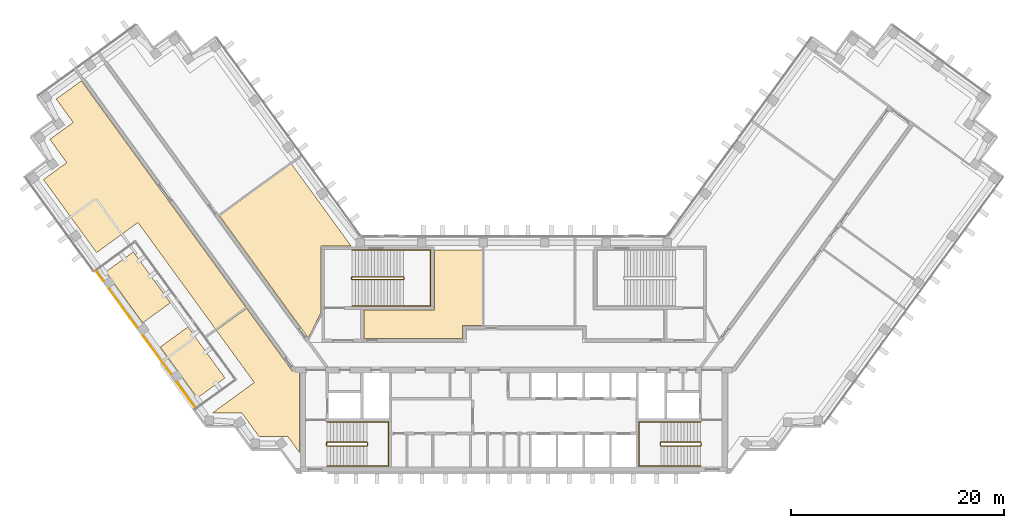
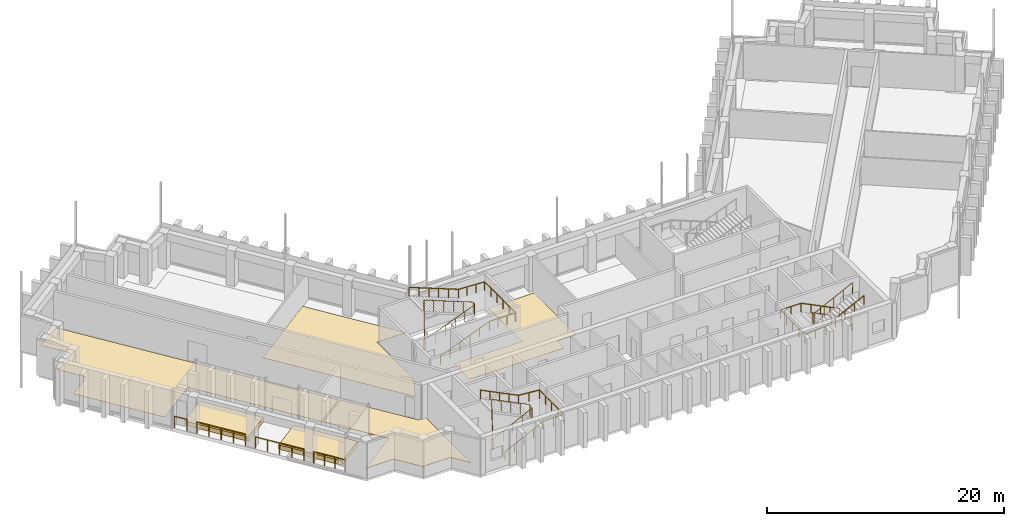
# One storey, part 14 of 15: 10 railings, 6 coverings.
"""IFC4 building model written with IfcOpenShell, lengths in metres."""

from ifc_helpers import new_model, si_unit, direction, frame, origin, origin_2d, place, context, subcontext, project, spatial, polyline, circle, outline, extrude, material, layer, layer_set, type_object, element, save


model = new_model("IFC4")

# Units and contexts
model_context = context("Model", 3, precision=1e-05, world=origin(), true_north=direction((0.0, 1.0)))
body_context = subcontext(model_context, "Body", "Model", "MODEL_VIEW")
ifc_project = project(units=[si_unit("LENGTHUNIT", "METRE"), si_unit("AREAUNIT", "SQUARE_METRE"), si_unit("VOLUMEUNIT", "CUBIC_METRE"), si_unit("PLANEANGLEUNIT", "RADIAN"), si_unit("MASSUNIT", "GRAM", prefix="KILO")], contexts=[model_context])

# Site, building, storey
site_placement = place(None, origin())
site = spatial("IfcSite", under=ifc_project, at=site_placement, CompositionType="ELEMENT")
building_placement = place(site_placement, origin())
building = spatial("IfcBuilding", under=site, at=building_placement, Name="Quipu Civic Tower", CompositionType="ELEMENT")
storey_placement = place(building_placement, frame((0.0, 0.0, 160.0)))
storey = spatial("IfcBuildingStorey", under=building, at=storey_placement, Name="L37", CompositionType="ELEMENT", Elevation=160.0)

# Coverings
ifc_material_1 = material(Name="Carpet tile on raised access floor")
ifc_layer_1 = layer(ifc_material_1, 0.02001953125)
ifc_layer_set_1 = layer_set([ifc_layer_1], Name="Carpet tile on raised access floor")
covering_type_1 = type_object("IfcCoveringType", Name="Carpet tile floor finish 20", PredefinedType="FLOORING", material=ifc_layer_set_1)
covering_1_placement = place(storey_placement, origin())
element("IfcCovering", 1, at=covering_1_placement, inside=storey, type_object=covering_type_1, Name="Carpet tile floor finish 20", PredefinedType="FLOORING", context=body_context, shape_type="SweptSolid", body=[
    extrude(outline(polyline([(-14.030029296875, 1.52001953125), (-14.030029296875, 4.179931640625), (-7.429931640625, 4.180908203125), (-7.429931640625, 9.830078125), (-2.948974609375, 9.830078125), (-2.948974609375, 2.719970703125), (-4.819091796875, 2.719970703125), (-4.820068359375, 1.52001953125), (-14.030029296875, 1.52001953125)])), origin(), (0.0, 0.0, 1.0), 0.02001953125),
])
covering_2_placement = place(storey_placement, origin())
element("IfcCovering", 2, at=covering_2_placement, inside=storey, type_object=covering_type_1, Name="Carpet tile floor finish 20", PredefinedType="FLOORING", context=body_context, shape_type="SweptSolid", body=[
    extrude(outline(polyline([(-27.577880859375, 13.01708984375), (-20.85498046875, 17.90087890625), (-15.238037109375, 10.169921875), (-18.070068359375, 10.1689453125), (-18.070068359375, 3.94189453125), (-19.27197265625, 1.583984375), (-27.577880859375, 13.01708984375)])), origin(), (0.0, 0.0, 1.0), 0.02001953125),
])
covering_3_placement = place(storey_placement, origin())
element("IfcCovering", 3, at=covering_3_placement, inside=storey, type_object=covering_type_1, Name="Carpet tile floor finish 20", PredefinedType="FLOORING", context=body_context, shape_type="SweptSolid", body=[
    extrude(outline(polyline([(-44.074951171875, 16.4140625), (-41.89208984375, 17.9990234375), (-43.47802734375, 20.18505859375), (-41.294921875, 21.77197265625), (-42.881103515625, 23.9560546875), (-40.52587890625, 25.666015625), (-25.117919921875, 4.4580078125), (-27.9580078125, 2.39599609375), (-35.218994140625, 12.388916015625), (-39.10205078125, 9.569091796875), (-44.074951171875, 16.4140625)])), origin(), (0.0, 0.0, 1.0), 0.02001953125),
])
ifc_material_2 = material(Name="Planting soil on drainage board")
ifc_layer_2 = layer(ifc_material_2, 0.449951171875)
ifc_layer_set_2 = layer_set([ifc_layer_2], Name="Planting soil on drainage board")
covering_type_2 = type_object("IfcCoveringType", Name="Planted terrace build-up", PredefinedType="FLOORING", material=ifc_layer_set_2)
covering_4_placement = place(storey_placement, origin())
element("IfcCovering", 4, at=covering_4_placement, inside=storey, type_object=covering_type_2, Name="Planted terrace L37 bed 1", PredefinedType="FLOORING", context=body_context, shape_type="SweptSolid", body=[
    extrude(outline(polyline([(-38.244384765625, 7.7578125), (-35.655517578125, 9.638916015625), (-32.187255859375, 4.865234375), (-34.776123046875, 2.984375), (-38.244384765625, 7.7578125)])), origin(), (0.0, 0.0, 1.0), 0.449951171875),
])
covering_5_placement = place(storey_placement, origin())
element("IfcCovering", 5, at=covering_5_placement, inside=storey, type_object=covering_type_2, Name="Planted terrace L37 bed 2", PredefinedType="FLOORING", context=body_context, shape_type="SweptSolid", body=[
    extrude(outline(polyline([(-33.13037109375, 0.718994140625), (-30.54150390625, 2.60009765625), (-27.07373046875, -2.1728515625), (-29.66259765625, -4.0537109375), (-33.13037109375, 0.718994140625)])), origin(), (0.0, 0.0, 1.0), 0.449951171875),
])
ifc_material_3 = material(Name="Sealed cement screed")
ifc_layer_3 = layer(ifc_material_3, 0.050048828125)
ifc_layer_set_3 = layer_set([ifc_layer_3], Name="Sealed cement screed")
covering_type_3 = type_object("IfcCoveringType", Name="Sealed screed floor finish 50", PredefinedType="FLOORING", material=ifc_layer_set_3)
covering_6_placement = place(storey_placement, origin())
element("IfcCovering", 6, at=covering_6_placement, inside=storey, type_object=covering_type_3, Name="Sealed screed floor finish 50", PredefinedType="FLOORING", context=body_context, shape_type="SweptSolid", body=[
    extrude(outline(polyline([(-28.205078125, -5.429931640625), (-24.322998046875, -2.60791015625), (-27.875, 2.281982421875), (-25.034912109375, 4.344970703125), (-20.77490234375, -1.51904296875), (-20.070068359375, -1.52001953125), (-20.070068359375, -9.195068359375), (-21.196044921875, -7.64599609375), (-23.89501953125, -7.64599609375), (-25.48193359375, -5.4619140625), (-28.18310546875, -5.4609375), (-28.205078125, -5.429931640625)])), origin(), (0.0, 0.0, 1.0), 0.050048828125),
])

# Railings
ifc_material_4 = material(Name="Stainless steel", Category="steel")
railing_type_1 = type_object("IfcRailingType", Name="Stair guard 1100", PredefinedType="GUARDRAIL", material=ifc_material_4)
railing_1_placement = place(storey_placement, frame((-17.5, -8.550048828125, 0.15380859375)))
element("IfcRailing", 7, at=railing_1_placement, inside=storey, type_object=railing_type_1, Name="Stair 1 guard", PredefinedType="GUARDRAIL", context=body_context, shape_type="SweptSolid", body=[
    extrude(circle(Radius=0.02392578125, at=origin_2d()), frame((0.0, 0.0, 1.076171875), z_axis=(0.895751851347, 0.0, 0.444554407028), x_axis=(0.0, 1.0, 0.0)), (0.0, 0.0, 1.0), 4.15283203125),
    extrude(circle(Radius=0.02392578125, at=origin_2d()), frame((3.719970703125, 0.0, 2.92236328125), z_axis=(0.707106781187, 0.707106781187, 0.0), x_axis=(-0.707106781187, 0.707106781187, 0.0)), (0.0, 0.0, 1.0), 0.07080078125),
    extrude(circle(Radius=0.02392578125, at=origin_2d()), frame((3.77001953125, 0.050048828125, 2.92236328125), z_axis=(0.0, 1.0, 0.0), x_axis=(-1.0, 0.0, 0.0)), (0.0, 0.0, 1.0), 0.25),
    extrude(circle(Radius=0.02392578125, at=origin_2d()), frame((3.77001953125, 0.300048828125, 2.92236328125), z_axis=(-0.295599637079, 0.295599637079, 0.908428152975), x_axis=(-0.707106781187, -0.707106781187, 0.0)), (0.0, 0.0, 1.0), 0.16943359375),
    extrude(circle(Radius=0.02392578125, at=origin_2d()), frame((3.719970703125, 0.35009765625, 3.076171875), z_axis=(-0.895751851347, 0.0, 0.444554407028), x_axis=(0.0, -1.0, 0.0)), (0.0, 0.0, 1.0), 4.15283203125),
    extrude(circle(Radius=0.02392578125, at=origin_2d()), frame((0.0, 0.35009765625, 4.92236328125), z_axis=(-0.012476181752, -0.074796231092, -0.997120789425), x_axis=(0.986372223864, -0.164529134168, 0.0)), (0.0, 0.0, 1.0), 4.011474609375),
    extrude(circle(Radius=0.02392578125, at=origin_2d()), frame((-0.050048828125, 0.050048828125, 0.92236328125), z_axis=(0.0, 1.0, 0.0), x_axis=(-1.0, 0.0, 0.0)), (0.0, 0.0, 1.0), 0.25),
    extrude(circle(Radius=0.02099609375, at=origin_2d()), origin(), (0.0, 0.0, 1.0), 1.052001953125),
    extrude(circle(Radius=0.02099609375, at=origin_2d()), frame((0.929931640625, 0.0, 0.46142578125)), (0.0, 0.0, 1.0), 1.052001953125),
    extrude(circle(Radius=0.02099609375, at=origin_2d()), frame((1.85986328125, 0.0, 0.923095703125)), (0.0, 0.0, 1.0), 1.052001953125),
    extrude(circle(Radius=0.02099609375, at=origin_2d()), frame((2.7900390625, 0.0, 1.384765625)), (0.0, 0.0, 1.0), 1.052001953125),
    extrude(circle(Radius=0.02099609375, at=origin_2d()), frame((3.719970703125, 0.0, 1.84619140625)), (0.0, 0.0, 1.0), 1.052001953125),
    extrude(circle(Radius=0.02099609375, at=origin_2d()), frame((3.77001953125, 0.050048828125, 1.84619140625)), (0.0, 0.0, 1.0), 1.052001953125),
    extrude(circle(Radius=0.02099609375, at=origin_2d()), frame((3.77001953125, 0.300048828125, 1.84619140625)), (0.0, 0.0, 1.0), 1.052001953125),
    extrude(circle(Radius=0.02099609375, at=origin_2d()), frame((3.719970703125, 0.35009765625, 2.0)), (0.0, 0.0, 1.0), 1.052001953125),
    extrude(circle(Radius=0.02099609375, at=origin_2d()), frame((2.7900390625, 0.35009765625, 2.46142578125)), (0.0, 0.0, 1.0), 1.052001953125),
    extrude(circle(Radius=0.02099609375, at=origin_2d()), frame((1.85986328125, 0.35009765625, 2.923095703125)), (0.0, 0.0, 1.0), 1.052001953125),
    extrude(circle(Radius=0.02099609375, at=origin_2d()), frame((0.929931640625, 0.35009765625, 3.384765625)), (0.0, 0.0, 1.0), 1.052001953125),
    extrude(circle(Radius=0.02099609375, at=origin_2d()), frame((0.0, 0.35009765625, 3.84619140625)), (0.0, 0.0, 1.0), 1.052001953125),
    extrude(circle(Radius=0.02099609375, at=origin_2d()), frame((-0.012451171875, 0.275146484375, 2.84619140625)), (0.0, 0.0, 1.0), 1.052001953125),
    extrude(circle(Radius=0.02099609375, at=origin_2d()), frame((-0.02490234375, 0.2001953125, 1.84619140625)), (0.0, 0.0, 1.0), 1.052001953125),
    extrude(circle(Radius=0.02099609375, at=origin_2d()), frame((-0.03759765625, 0.125, 0.84619140625)), (0.0, 0.0, 1.0), 1.052001953125),
    extrude(circle(Radius=0.02099609375, at=origin_2d()), frame((-0.050048828125, 0.050048828125, -0.15380859375)), (0.0, 0.0, 1.0), 1.052001953125),
    extrude(circle(Radius=0.02099609375, at=origin_2d()), frame((-0.050048828125, 0.300048828125, -0.15380859375)), (0.0, 0.0, 1.0), 1.052001953125),
])
railing_2_placement = place(storey_placement, frame((17.5, -8.199951171875, 0.15380859375)))
element("IfcRailing", 8, at=railing_2_placement, inside=storey, type_object=railing_type_1, Name="Stair 2 guard", PredefinedType="GUARDRAIL", context=body_context, shape_type="SweptSolid", body=[
    extrude(circle(Radius=0.02392578125, at=origin_2d()), frame((0.0, 0.0, 1.076171875), z_axis=(-0.895751851347, 0.0, 0.444554407028), x_axis=(0.0, -1.0, 0.0)), (0.0, 0.0, 1.0), 4.15283203125),
    extrude(circle(Radius=0.02392578125, at=origin_2d()), frame((-3.719970703125, 0.0, 2.92236328125), z_axis=(-0.707106781187, -0.707106781187, 0.0), x_axis=(0.707106781187, -0.707106781187, 0.0)), (0.0, 0.0, 1.0), 0.07080078125),
    extrude(circle(Radius=0.02392578125, at=origin_2d()), frame((-3.77001953125, -0.050048828125, 2.92236328125), z_axis=(0.0, -1.0, 0.0), x_axis=(1.0, 0.0, 0.0)), (0.0, 0.0, 1.0), 0.25),
    extrude(circle(Radius=0.02392578125, at=origin_2d()), frame((-3.77001953125, -0.300048828125, 2.92236328125), z_axis=(0.295599637079, -0.295599637079, 0.908428152975), x_axis=(0.707106781187, 0.707106781187, 0.0)), (0.0, 0.0, 1.0), 0.16943359375),
    extrude(circle(Radius=0.02392578125, at=origin_2d()), frame((-3.719970703125, -0.35009765625, 3.076171875), z_axis=(0.895751851347, 0.0, 0.444554407028), x_axis=(0.0, 1.0, 0.0)), (0.0, 0.0, 1.0), 4.15283203125),
    extrude(circle(Radius=0.02392578125, at=origin_2d()), frame((0.0, -0.35009765625, 4.92236328125), z_axis=(0.012476181752, 0.074796231092, -0.997120789425), x_axis=(-0.986372223864, 0.164529134168, 0.0)), (0.0, 0.0, 1.0), 4.011474609375),
    extrude(circle(Radius=0.02392578125, at=origin_2d()), frame((0.050048828125, -0.050048828125, 0.92236328125), z_axis=(0.0, -1.0, 0.0), x_axis=(1.0, 0.0, 0.0)), (0.0, 0.0, 1.0), 0.25),
    extrude(circle(Radius=0.02099609375, at=origin_2d()), origin(), (0.0, 0.0, 1.0), 1.052001953125),
    extrude(circle(Radius=0.02099609375, at=origin_2d()), frame((-0.929931640625, 0.0, 0.46142578125)), (0.0, 0.0, 1.0), 1.052001953125),
    extrude(circle(Radius=0.02099609375, at=origin_2d()), frame((-1.85986328125, 0.0, 0.923095703125)), (0.0, 0.0, 1.0), 1.052001953125),
    extrude(circle(Radius=0.02099609375, at=origin_2d()), frame((-2.7900390625, 0.0, 1.384765625)), (0.0, 0.0, 1.0), 1.052001953125),
    extrude(circle(Radius=0.02099609375, at=origin_2d()), frame((-3.719970703125, 0.0, 1.84619140625)), (0.0, 0.0, 1.0), 1.052001953125),
    extrude(circle(Radius=0.02099609375, at=origin_2d()), frame((-3.77001953125, -0.050048828125, 1.84619140625)), (0.0, 0.0, 1.0), 1.052001953125),
    extrude(circle(Radius=0.02099609375, at=origin_2d()), frame((-3.77001953125, -0.300048828125, 1.84619140625)), (0.0, 0.0, 1.0), 1.052001953125),
    extrude(circle(Radius=0.02099609375, at=origin_2d()), frame((-3.719970703125, -0.35009765625, 2.0)), (0.0, 0.0, 1.0), 1.052001953125),
    extrude(circle(Radius=0.02099609375, at=origin_2d()), frame((-2.7900390625, -0.35009765625, 2.46142578125)), (0.0, 0.0, 1.0), 1.052001953125),
    extrude(circle(Radius=0.02099609375, at=origin_2d()), frame((-1.85986328125, -0.35009765625, 2.923095703125)), (0.0, 0.0, 1.0), 1.052001953125),
    extrude(circle(Radius=0.02099609375, at=origin_2d()), frame((-0.929931640625, -0.35009765625, 3.384765625)), (0.0, 0.0, 1.0), 1.052001953125),
    extrude(circle(Radius=0.02099609375, at=origin_2d()), frame((0.0, -0.35009765625, 3.84619140625)), (0.0, 0.0, 1.0), 1.052001953125),
    extrude(circle(Radius=0.02099609375, at=origin_2d()), frame((0.012451171875, -0.275146484375, 2.84619140625)), (0.0, 0.0, 1.0), 1.052001953125),
    extrude(circle(Radius=0.02099609375, at=origin_2d()), frame((0.02490234375, -0.2001953125, 1.84619140625)), (0.0, 0.0, 1.0), 1.052001953125),
    extrude(circle(Radius=0.02099609375, at=origin_2d()), frame((0.03759765625, -0.125, 0.84619140625)), (0.0, 0.0, 1.0), 1.052001953125),
    extrude(circle(Radius=0.02099609375, at=origin_2d()), frame((0.050048828125, -0.050048828125, -0.15380859375)), (0.0, 0.0, 1.0), 1.052001953125),
    extrude(circle(Radius=0.02099609375, at=origin_2d()), frame((0.050048828125, -0.300048828125, -0.15380859375)), (0.0, 0.0, 1.0), 1.052001953125),
])
railing_3_placement = place(storey_placement, frame((-15.14990234375, 7.050048828125, 0.11767578125)))
element("IfcRailing", 9, at=railing_3_placement, inside=storey, type_object=railing_type_1, Name="Stair 3 guard", PredefinedType="GUARDRAIL", context=body_context, shape_type="SweptSolid", body=[
    extrude(circle(Radius=0.02392578125, at=origin_2d()), frame((0.0, 0.0, 1.076171875), z_axis=(0.930970042603, 0.0, 0.365095576219), x_axis=(0.0, 1.0, 0.0)), (0.0, 0.0, 1.0), 5.15576171875),
    extrude(circle(Radius=0.02392578125, at=origin_2d()), frame((4.7998046875, 0.0, 2.95849609375), z_axis=(0.707106781187, 0.707106781187, 0.0), x_axis=(-0.707106781187, 0.707106781187, 0.0)), (0.0, 0.0, 1.0), 0.07080078125),
    extrude(circle(Radius=0.02392578125, at=origin_2d()), frame((4.849853515625, 0.050048828125, 2.95849609375), z_axis=(0.0, 1.0, 0.0), x_axis=(-1.0, 0.0, 0.0)), (0.0, 0.0, 1.0), 0.14990234375),
    extrude(circle(Radius=0.02392578125, at=origin_2d()), frame((4.849853515625, 0.199951171875, 2.95849609375), z_axis=(-0.364463019033, 0.364463019033, 0.856932561824), x_axis=(-0.707106781187, -0.707106781187, 0.0)), (0.0, 0.0, 1.0), 0.13720703125),
    extrude(circle(Radius=0.02392578125, at=origin_2d()), frame((4.7998046875, 0.25, 3.076171875), z_axis=(-0.930970042603, 0.0, 0.365095576219), x_axis=(0.0, -1.0, 0.0)), (0.0, 0.0, 1.0), 5.15576171875),
    extrude(circle(Radius=0.02392578125, at=origin_2d()), frame((0.0, 0.25, 4.95849609375), z_axis=(-0.012495627992, -0.049921557685, -0.998674970829), x_axis=(0.970072785993, -0.242814311512, 0.0)), (0.0, 0.0, 1.0), 4.00537109375),
    extrude(circle(Radius=0.02392578125, at=origin_2d()), frame((-0.050048828125, 0.050048828125, 0.95849609375), z_axis=(0.0, 1.0, 0.0), x_axis=(-1.0, 0.0, 0.0)), (0.0, 0.0, 1.0), 0.14990234375),
    extrude(circle(Radius=0.02099609375, at=origin_2d()), origin(), (0.0, 0.0, 1.0), 1.052001953125),
    extrude(circle(Radius=0.02099609375, at=origin_2d()), frame((0.9599609375, 0.0, 0.37646484375)), (0.0, 0.0, 1.0), 1.052001953125),
    extrude(circle(Radius=0.02099609375, at=origin_2d()), frame((1.919921875, 0.0, 0.7529296875)), (0.0, 0.0, 1.0), 1.052001953125),
    extrude(circle(Radius=0.02099609375, at=origin_2d()), frame((2.8798828125, 0.0, 1.12939453125)), (0.0, 0.0, 1.0), 1.052001953125),
    extrude(circle(Radius=0.02099609375, at=origin_2d()), frame((3.83984375, 0.0, 1.505859375)), (0.0, 0.0, 1.0), 1.052001953125),
    extrude(circle(Radius=0.02099609375, at=origin_2d()), frame((4.7998046875, 0.0, 1.88232421875)), (0.0, 0.0, 1.0), 1.052001953125),
    extrude(circle(Radius=0.02099609375, at=origin_2d()), frame((4.849853515625, 0.050048828125, 1.88232421875)), (0.0, 0.0, 1.0), 1.052001953125),
    extrude(circle(Radius=0.02099609375, at=origin_2d()), frame((4.849853515625, 0.199951171875, 1.88232421875)), (0.0, 0.0, 1.0), 1.052001953125),
    extrude(circle(Radius=0.02099609375, at=origin_2d()), frame((4.7998046875, 0.25, 2.0)), (0.0, 0.0, 1.0), 1.052001953125),
    extrude(circle(Radius=0.02099609375, at=origin_2d()), frame((3.83984375, 0.25, 2.37646484375)), (0.0, 0.0, 1.0), 1.052001953125),
    extrude(circle(Radius=0.02099609375, at=origin_2d()), frame((2.8798828125, 0.25, 2.7529296875)), (0.0, 0.0, 1.0), 1.052001953125),
    extrude(circle(Radius=0.02099609375, at=origin_2d()), frame((1.919921875, 0.25, 3.12939453125)), (0.0, 0.0, 1.0), 1.052001953125),
    extrude(circle(Radius=0.02099609375, at=origin_2d()), frame((0.9599609375, 0.25, 3.505859375)), (0.0, 0.0, 1.0), 1.052001953125),
    extrude(circle(Radius=0.02099609375, at=origin_2d()), frame((0.0, 0.25, 3.88232421875)), (0.0, 0.0, 1.0), 1.052001953125),
    extrude(circle(Radius=0.02099609375, at=origin_2d()), frame((-0.012451171875, 0.199951171875, 2.88232421875)), (0.0, 0.0, 1.0), 1.052001953125),
    extrude(circle(Radius=0.02099609375, at=origin_2d()), frame((-0.02490234375, 0.14990234375, 1.88232421875)), (0.0, 0.0, 1.0), 1.052001953125),
    extrude(circle(Radius=0.02099609375, at=origin_2d()), frame((-0.03759765625, 0.10009765625, 0.88232421875)), (0.0, 0.0, 1.0), 1.052001953125),
    extrude(circle(Radius=0.02099609375, at=origin_2d()), frame((-0.050048828125, 0.050048828125, -0.11767578125)), (0.0, 0.0, 1.0), 1.052001953125),
    extrude(circle(Radius=0.02099609375, at=origin_2d()), frame((-0.050048828125, 0.199951171875, -0.11767578125)), (0.0, 0.0, 1.0), 1.052001953125),
])
ifc_material_5 = material(Name="Stainless steel", Category="steel")
railing_type_2 = type_object("IfcRailingType", Name="Stair handrail", PredefinedType="HANDRAIL", material=ifc_material_5)
railing_4_placement = place(storey_placement, frame((-17.5, -10.449951171875, 0.15380859375)))
element("IfcRailing", 10, at=railing_4_placement, inside=storey, type_object=railing_type_2, Name="Stair 1 handrail", PredefinedType="HANDRAIL", context=body_context, shape_type="SweptSolid", body=[
    extrude(circle(Radius=0.02392578125, at=origin_2d()), frame((0.0, 0.0, 0.8759765625), z_axis=(0.895751851347, 0.0, 0.444554407028), x_axis=(0.0, 1.0, 0.0)), (0.0, 0.0, 1.0), 4.15283203125),
    extrude(circle(Radius=0.02392578125, at=origin_2d()), frame((3.719970703125, 0.0, 2.72216796875), z_axis=(1.0, 0.0, 0.0), x_axis=(0.0, 1.0, 0.0)), (0.0, 0.0, 1.0), 2.030029296875),
    extrude(circle(Radius=0.02392578125, at=origin_2d()), frame((5.75, 0.0, 2.72216796875), z_axis=(0.0, 1.0, 0.0), x_axis=(-1.0, 0.0, 0.0)), (0.0, 0.0, 1.0), 4.14990234375),
    extrude(circle(Radius=0.02392578125, at=origin_2d()), frame((5.75, 4.14990234375, 2.72216796875), z_axis=(-0.997142003663, 0.0, 0.075550145798), x_axis=(0.0, -1.0, 0.0)), (0.0, 0.0, 1.0), 2.035888671875),
    extrude(circle(Radius=0.02392578125, at=origin_2d()), frame((3.719970703125, 4.14990234375, 2.8759765625), z_axis=(-0.895751851347, 0.0, 0.444554407028), x_axis=(0.0, -1.0, 0.0)), (0.0, 0.0, 1.0), 4.15283203125),
    extrude(circle(Radius=0.02099609375, at=origin_2d()), origin(), (0.0, 0.0, 1.0), 0.851806640625),
    extrude(circle(Radius=0.02099609375, at=origin_2d()), frame((0.929931640625, 0.0, 0.46142578125)), (0.0, 0.0, 1.0), 0.851806640625),
    extrude(circle(Radius=0.02099609375, at=origin_2d()), frame((1.85986328125, 0.0, 0.923095703125)), (0.0, 0.0, 1.0), 0.851806640625),
    extrude(circle(Radius=0.02099609375, at=origin_2d()), frame((2.7900390625, 0.0, 1.384765625)), (0.0, 0.0, 1.0), 0.851806640625),
    extrude(circle(Radius=0.02099609375, at=origin_2d()), frame((3.719970703125, 0.0, 1.84619140625)), (0.0, 0.0, 1.0), 0.851806640625),
    extrude(circle(Radius=0.02099609375, at=origin_2d()), frame((4.73486328125, 0.0, 1.84619140625)), (0.0, 0.0, 1.0), 0.851806640625),
    extrude(circle(Radius=0.02099609375, at=origin_2d()), frame((5.75, 0.0, 1.84619140625)), (0.0, 0.0, 1.0), 0.851806640625),
    extrude(circle(Radius=0.02099609375, at=origin_2d()), frame((5.75, 1.03759765625, 1.84619140625)), (0.0, 0.0, 1.0), 0.851806640625),
    extrude(circle(Radius=0.02099609375, at=origin_2d()), frame((5.75, 2.074951171875, 1.84619140625)), (0.0, 0.0, 1.0), 0.851806640625),
    extrude(circle(Radius=0.02099609375, at=origin_2d()), frame((5.75, 3.1123046875, 1.84619140625)), (0.0, 0.0, 1.0), 0.851806640625),
    extrude(circle(Radius=0.02099609375, at=origin_2d()), frame((5.75, 4.14990234375, 1.84619140625)), (0.0, 0.0, 1.0), 0.851806640625),
    extrude(circle(Radius=0.02099609375, at=origin_2d()), frame((4.73486328125, 4.14990234375, 1.923095703125)), (0.0, 0.0, 1.0), 0.851806640625),
    extrude(circle(Radius=0.02099609375, at=origin_2d()), frame((3.719970703125, 4.14990234375, 2.0)), (0.0, 0.0, 1.0), 0.851806640625),
    extrude(circle(Radius=0.02099609375, at=origin_2d()), frame((2.7900390625, 4.14990234375, 2.46142578125)), (0.0, 0.0, 1.0), 0.851806640625),
    extrude(circle(Radius=0.02099609375, at=origin_2d()), frame((1.85986328125, 4.14990234375, 2.923095703125)), (0.0, 0.0, 1.0), 0.851806640625),
    extrude(circle(Radius=0.02099609375, at=origin_2d()), frame((0.929931640625, 4.14990234375, 3.384765625)), (0.0, 0.0, 1.0), 0.851806640625),
    extrude(circle(Radius=0.02099609375, at=origin_2d()), frame((0.0, 4.14990234375, 3.84619140625)), (0.0, 0.0, 1.0), 0.851806640625),
])
railing_5_placement = place(storey_placement, frame((17.5, -6.300048828125, 0.15380859375)))
element("IfcRailing", 11, at=railing_5_placement, inside=storey, type_object=railing_type_2, Name="Stair 2 handrail", PredefinedType="HANDRAIL", context=body_context, shape_type="SweptSolid", body=[
    extrude(circle(Radius=0.02392578125, at=origin_2d()), frame((0.0, 0.0, 0.8759765625), z_axis=(-0.895751851347, 0.0, 0.444554407028), x_axis=(0.0, -1.0, 0.0)), (0.0, 0.0, 1.0), 4.15283203125),
    extrude(circle(Radius=0.02392578125, at=origin_2d()), frame((-3.719970703125, 0.0, 2.72216796875), z_axis=(-1.0, 0.0, 0.0), x_axis=(0.0, -1.0, 0.0)), (0.0, 0.0, 1.0), 2.030029296875),
    extrude(circle(Radius=0.02392578125, at=origin_2d()), frame((-5.75, 0.0, 2.72216796875), z_axis=(0.0, -1.0, 0.0), x_axis=(1.0, 0.0, 0.0)), (0.0, 0.0, 1.0), 4.14990234375),
    extrude(circle(Radius=0.02392578125, at=origin_2d()), frame((-5.75, -4.14990234375, 2.72216796875), z_axis=(0.997142003663, 0.0, 0.075550145798), x_axis=(0.0, 1.0, 0.0)), (0.0, 0.0, 1.0), 2.035888671875),
    extrude(circle(Radius=0.02392578125, at=origin_2d()), frame((-3.719970703125, -4.14990234375, 2.8759765625), z_axis=(0.895751851347, 0.0, 0.444554407028), x_axis=(0.0, 1.0, 0.0)), (0.0, 0.0, 1.0), 4.15283203125),
    extrude(circle(Radius=0.02099609375, at=origin_2d()), origin(), (0.0, 0.0, 1.0), 0.851806640625),
    extrude(circle(Radius=0.02099609375, at=origin_2d()), frame((-0.929931640625, 0.0, 0.46142578125)), (0.0, 0.0, 1.0), 0.851806640625),
    extrude(circle(Radius=0.02099609375, at=origin_2d()), frame((-1.85986328125, 0.0, 0.923095703125)), (0.0, 0.0, 1.0), 0.851806640625),
    extrude(circle(Radius=0.02099609375, at=origin_2d()), frame((-2.7900390625, 0.0, 1.384765625)), (0.0, 0.0, 1.0), 0.851806640625),
    extrude(circle(Radius=0.02099609375, at=origin_2d()), frame((-3.719970703125, 0.0, 1.84619140625)), (0.0, 0.0, 1.0), 0.851806640625),
    extrude(circle(Radius=0.02099609375, at=origin_2d()), frame((-4.73486328125, 0.0, 1.84619140625)), (0.0, 0.0, 1.0), 0.851806640625),
    extrude(circle(Radius=0.02099609375, at=origin_2d()), frame((-5.75, 0.0, 1.84619140625)), (0.0, 0.0, 1.0), 0.851806640625),
    extrude(circle(Radius=0.02099609375, at=origin_2d()), frame((-5.75, -1.03759765625, 1.84619140625)), (0.0, 0.0, 1.0), 0.851806640625),
    extrude(circle(Radius=0.02099609375, at=origin_2d()), frame((-5.75, -2.074951171875, 1.84619140625)), (0.0, 0.0, 1.0), 0.851806640625),
    extrude(circle(Radius=0.02099609375, at=origin_2d()), frame((-5.75, -3.1123046875, 1.84619140625)), (0.0, 0.0, 1.0), 0.851806640625),
    extrude(circle(Radius=0.02099609375, at=origin_2d()), frame((-5.75, -4.14990234375, 1.84619140625)), (0.0, 0.0, 1.0), 0.851806640625),
    extrude(circle(Radius=0.02099609375, at=origin_2d()), frame((-4.73486328125, -4.14990234375, 1.923095703125)), (0.0, 0.0, 1.0), 0.851806640625),
    extrude(circle(Radius=0.02099609375, at=origin_2d()), frame((-3.719970703125, -4.14990234375, 2.0)), (0.0, 0.0, 1.0), 0.851806640625),
    extrude(circle(Radius=0.02099609375, at=origin_2d()), frame((-2.7900390625, -4.14990234375, 2.46142578125)), (0.0, 0.0, 1.0), 0.851806640625),
    extrude(circle(Radius=0.02099609375, at=origin_2d()), frame((-1.85986328125, -4.14990234375, 2.923095703125)), (0.0, 0.0, 1.0), 0.851806640625),
    extrude(circle(Radius=0.02099609375, at=origin_2d()), frame((-0.929931640625, -4.14990234375, 3.384765625)), (0.0, 0.0, 1.0), 0.851806640625),
    extrude(circle(Radius=0.02099609375, at=origin_2d()), frame((0.0, -4.14990234375, 3.84619140625)), (0.0, 0.0, 1.0), 0.851806640625),
])
railing_6_placement = place(storey_placement, frame((-15.14990234375, 4.550048828125, 0.11767578125)))
element("IfcRailing", 12, at=railing_6_placement, inside=storey, type_object=railing_type_2, Name="Stair 3 handrail", PredefinedType="HANDRAIL", context=body_context, shape_type="SweptSolid", body=[
    extrude(circle(Radius=0.02392578125, at=origin_2d()), frame((0.0, 0.0, 0.8759765625), z_axis=(0.930970042603, 0.0, 0.365095576219), x_axis=(0.0, 1.0, 0.0)), (0.0, 0.0, 1.0), 5.15576171875),
    extrude(circle(Radius=0.02392578125, at=origin_2d()), frame((4.7998046875, 0.0, 2.75830078125), z_axis=(1.0, 0.0, 0.0), x_axis=(0.0, 1.0, 0.0)), (0.0, 0.0, 1.0), 2.550048828125),
    extrude(circle(Radius=0.02392578125, at=origin_2d()), frame((7.349853515625, 0.0, 2.75830078125), z_axis=(0.0, 1.0, 0.0), x_axis=(-1.0, 0.0, 0.0)), (0.0, 0.0, 1.0), 5.25),
    extrude(circle(Radius=0.02392578125, at=origin_2d()), frame((7.349853515625, 5.25, 2.75830078125), z_axis=(-0.998936948642, 0.0, 0.04609742549), x_axis=(0.0, -1.0, 0.0)), (0.0, 0.0, 1.0), 2.552734375),
    extrude(circle(Radius=0.02392578125, at=origin_2d()), frame((4.7998046875, 5.25, 2.8759765625), z_axis=(-0.930970042603, 0.0, 0.365095576219), x_axis=(0.0, -1.0, 0.0)), (0.0, 0.0, 1.0), 5.15576171875),
    extrude(circle(Radius=0.02099609375, at=origin_2d()), origin(), (0.0, 0.0, 1.0), 0.851806640625),
    extrude(circle(Radius=0.02099609375, at=origin_2d()), frame((0.9599609375, 0.0, 0.37646484375)), (0.0, 0.0, 1.0), 0.851806640625),
    extrude(circle(Radius=0.02099609375, at=origin_2d()), frame((1.919921875, 0.0, 0.7529296875)), (0.0, 0.0, 1.0), 0.851806640625),
    extrude(circle(Radius=0.02099609375, at=origin_2d()), frame((2.8798828125, 0.0, 1.12939453125)), (0.0, 0.0, 1.0), 0.851806640625),
    extrude(circle(Radius=0.02099609375, at=origin_2d()), frame((3.83984375, 0.0, 1.505859375)), (0.0, 0.0, 1.0), 0.851806640625),
    extrude(circle(Radius=0.02099609375, at=origin_2d()), frame((4.7998046875, 0.0, 1.88232421875)), (0.0, 0.0, 1.0), 0.851806640625),
    extrude(circle(Radius=0.02099609375, at=origin_2d()), frame((5.64990234375, 0.0, 1.88232421875)), (0.0, 0.0, 1.0), 0.851806640625),
    extrude(circle(Radius=0.02099609375, at=origin_2d()), frame((6.499755859375, 0.0, 1.88232421875)), (0.0, 0.0, 1.0), 0.851806640625),
    extrude(circle(Radius=0.02099609375, at=origin_2d()), frame((7.349853515625, 0.0, 1.88232421875)), (0.0, 0.0, 1.0), 0.851806640625),
    extrude(circle(Radius=0.02099609375, at=origin_2d()), frame((7.349853515625, 1.050048828125, 1.88232421875)), (0.0, 0.0, 1.0), 0.851806640625),
    extrude(circle(Radius=0.02099609375, at=origin_2d()), frame((7.349853515625, 2.10009765625, 1.88232421875)), (0.0, 0.0, 1.0), 0.851806640625),
    extrude(circle(Radius=0.02099609375, at=origin_2d()), frame((7.349853515625, 3.14990234375, 1.88232421875)), (0.0, 0.0, 1.0), 0.851806640625),
    extrude(circle(Radius=0.02099609375, at=origin_2d()), frame((7.349853515625, 4.199951171875, 1.88232421875)), (0.0, 0.0, 1.0), 0.851806640625),
    extrude(circle(Radius=0.02099609375, at=origin_2d()), frame((7.349853515625, 5.25, 1.88232421875)), (0.0, 0.0, 1.0), 0.851806640625),
    extrude(circle(Radius=0.02099609375, at=origin_2d()), frame((6.499755859375, 5.25, 1.921630859375)), (0.0, 0.0, 1.0), 0.851806640625),
    extrude(circle(Radius=0.02099609375, at=origin_2d()), frame((5.64990234375, 5.25, 1.960693359375)), (0.0, 0.0, 1.0), 0.851806640625),
    extrude(circle(Radius=0.02099609375, at=origin_2d()), frame((4.7998046875, 5.25, 2.0)), (0.0, 0.0, 1.0), 0.851806640625),
    extrude(circle(Radius=0.02099609375, at=origin_2d()), frame((3.83984375, 5.25, 2.37646484375)), (0.0, 0.0, 1.0), 0.851806640625),
    extrude(circle(Radius=0.02099609375, at=origin_2d()), frame((2.8798828125, 5.25, 2.7529296875)), (0.0, 0.0, 1.0), 0.851806640625),
    extrude(circle(Radius=0.02099609375, at=origin_2d()), frame((1.919921875, 5.25, 3.12939453125)), (0.0, 0.0, 1.0), 0.851806640625),
    extrude(circle(Radius=0.02099609375, at=origin_2d()), frame((0.9599609375, 5.25, 3.505859375)), (0.0, 0.0, 1.0), 0.851806640625),
    extrude(circle(Radius=0.02099609375, at=origin_2d()), frame((0.0, 5.25, 3.88232421875)), (0.0, 0.0, 1.0), 0.851806640625),
])
ifc_material_6 = material(Name="Steel S275", Category="steel")
railing_type_3 = type_object("IfcRailingType", Name="Terrace guard G1", PredefinedType="GUARDRAIL", material=ifc_material_6)
railing_7_placement = place(storey_placement, frame((-39.147216796875, 7.84375, 0.0)))
element("IfcRailing", 13, at=railing_7_placement, inside=storey, type_object=railing_type_3, Name="Terrace guard L37.1", PredefinedType="GUARDRAIL", context=body_context, shape_type="SweptSolid", body=[
    extrude(circle(Radius=0.02490234375, at=origin_2d()), frame((0.0, 0.0, 1.1748046875), z_axis=(0.587857434607, -0.808964545933, 0.0), x_axis=(0.808964545933, 0.587857434607, 0.0)), (0.0, 0.0, 1.0), 1.155029296875),
    extrude(circle(Radius=0.02490234375, at=origin_2d()), origin(), (0.0, 0.0, 1.0), 1.14990234375),
    extrude(circle(Radius=0.02490234375, at=origin_2d()), frame((0.678955078125, -0.934326171875, 0.0)), (0.0, 0.0, 1.0), 1.14990234375),
])
for number, where, name in (
    (14, (-37.939453125, 6.18115234375, 0.0), "Terrace guard L37.2"),
    (15, (-34.765380859375, 1.8125, 0.0), "Terrace guard L37.3"),
):
    element("IfcRailing", number, at=place(storey_placement, frame(where)), inside=storey, type_object=railing_type_3, Name=name, PredefinedType="GUARDRAIL", context=body_context, shape_type="SweptSolid", body=[
        extrude(circle(Radius=0.02490234375, at=origin_2d()), frame((0.0, 0.0, 1.1748046875), z_axis=(0.587803872688, -0.809003465539, 0.0), x_axis=(0.809003465539, 0.587803872688, 0.0)), (0.0, 0.0, 1.0), 4.499755859375),
        extrude(circle(Radius=0.02490234375, at=origin_2d()), origin(), (0.0, 0.0, 1.0), 1.14990234375),
        extrude(circle(Radius=0.02490234375, at=origin_2d()), frame((0.6611328125, -0.91015625, 0.0)), (0.0, 0.0, 1.0), 1.14990234375),
        extrude(circle(Radius=0.02490234375, at=origin_2d()), frame((1.322509765625, -1.8203125, 0.0)), (0.0, 0.0, 1.0), 1.14990234375),
        extrude(circle(Radius=0.02490234375, at=origin_2d()), frame((1.98388671875, -2.730224609375, 0.0)), (0.0, 0.0, 1.0), 1.14990234375),
        extrude(circle(Radius=0.02490234375, at=origin_2d()), frame((2.64501953125, -3.640380859375, 0.0)), (0.0, 0.0, 1.0), 1.14990234375),
    ])
railing_8_placement = place(storey_placement, frame((-31.59130859375, -2.55615234375, 0.0)))
element("IfcRailing", 16, at=railing_8_placement, inside=storey, type_object=railing_type_3, Name="Terrace guard L37.4", PredefinedType="GUARDRAIL", context=body_context, shape_type="SweptSolid", body=[
    extrude(circle(Radius=0.02490234375, at=origin_2d()), frame((0.0, 0.0, 1.1748046875), z_axis=(0.587782264391, -0.809019165204, 0.0), x_axis=(0.809019165204, 0.587782264391, 0.0)), (0.0, 0.0, 1.0), 2.9453125),
    extrude(circle(Radius=0.02490234375, at=origin_2d()), origin(), (0.0, 0.0, 1.0), 1.14990234375),
    extrude(circle(Radius=0.02490234375, at=origin_2d()), frame((0.5771484375, -0.794189453125, 0.0)), (0.0, 0.0, 1.0), 1.14990234375),
    extrude(circle(Radius=0.02490234375, at=origin_2d()), frame((1.154052734375, -1.588623046875, 0.0)), (0.0, 0.0, 1.0), 1.14990234375),
    extrude(circle(Radius=0.02490234375, at=origin_2d()), frame((1.731201171875, -2.3828125, 0.0)), (0.0, 0.0, 1.0), 1.14990234375),
])

save(model, "model.ifc")
